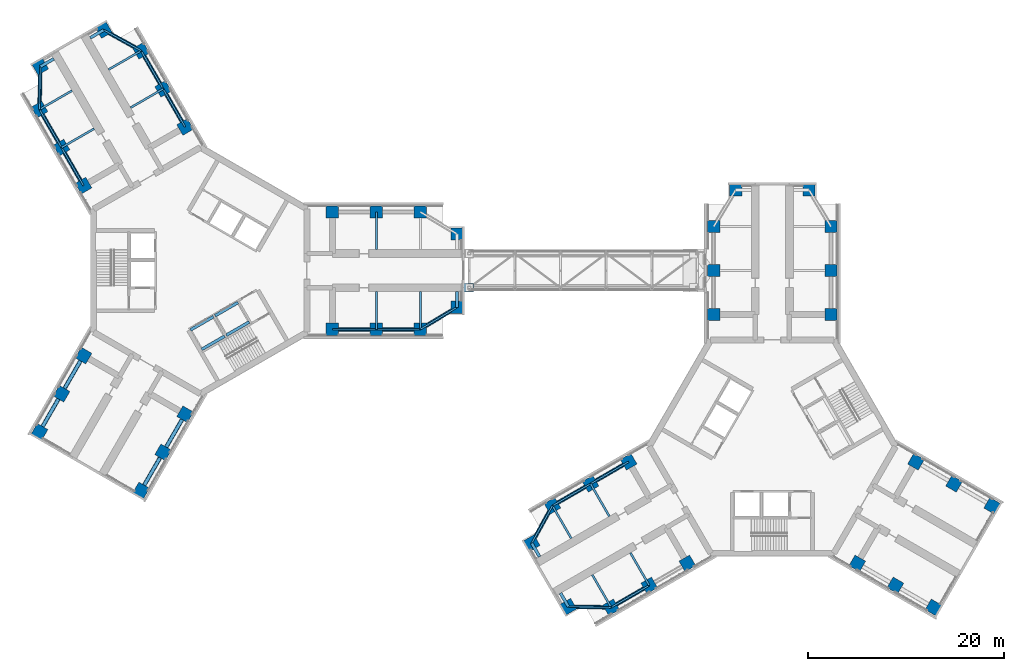
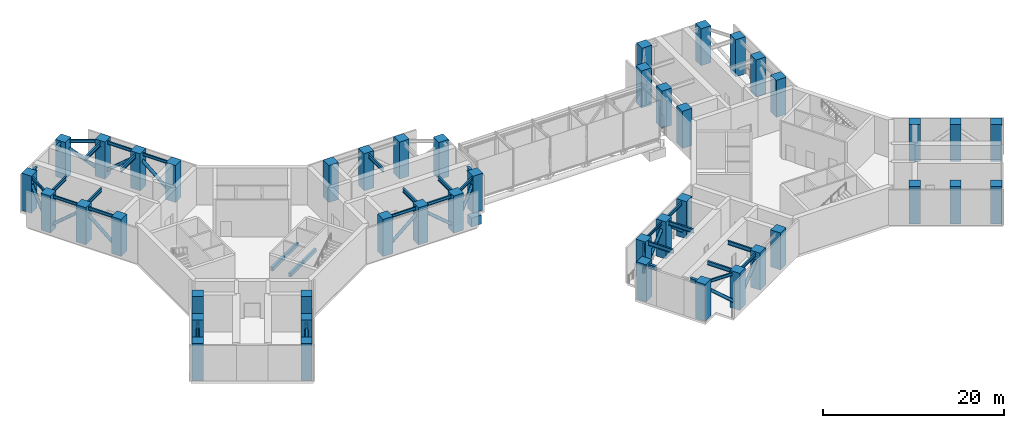
# One storey, part 1 of 15: 44 columns, 35 beams, 18 members.
"""IFC4 building model written with IfcOpenShell, lengths in metres."""

from ifc_helpers import new_model, si_unit, direction, frame, origin, origin_2d, place, context, subcontext, project, spatial, rectangle, hollow_circle, i_section, extrude, material, material_profile, profile_set, type_object, element, save


model = new_model("IFC4")

# Units and contexts
model_context = context("Model", 3, precision=1e-05, world=origin(), true_north=direction((0.0, 1.0)))
body_context = subcontext(model_context, "Body", "Model", "MODEL_VIEW")
ifc_project = project(units=[si_unit("LENGTHUNIT", "METRE"), si_unit("AREAUNIT", "SQUARE_METRE"), si_unit("VOLUMEUNIT", "CUBIC_METRE"), si_unit("PLANEANGLEUNIT", "RADIAN"), si_unit("MASSUNIT", "GRAM", prefix="KILO")], contexts=[model_context])

# Site, building, storey
site_placement = place(None, origin())
site = spatial("IfcSite", under=ifc_project, at=site_placement, CompositionType="ELEMENT")
building_placement = place(site_placement, origin())
building = spatial("IfcBuilding", under=site, at=building_placement, Name="Upepo Twin Towers", CompositionType="ELEMENT")
storey_placement = place(building_placement, frame((0.0, 0.0, 165.5)))
storey = spatial("IfcBuildingStorey", under=building, at=storey_placement, Name="L40", CompositionType="ELEMENT", Elevation=165.5)

# Columns
ifc_material_1 = material(Name="Concrete C60/75", Category="concrete")
ifc_material_profile_1 = material_profile(ifc_material_1, rectangle(XDim=1.25, YDim=1.25, at=origin_2d()), Name="RC 1250x1250")
ifc_profile_set_1 = profile_set([ifc_material_profile_1], Name="Concrete C60/75")
column_type = type_object("IfcColumnType", Name="Tower column RC 1250x1250", PredefinedType="COLUMN", material=ifc_profile_set_1)
for number, where, z_axis, x_axis, name in (
    (1, (13.5, 6.0, 0.0), (0.0, 0.0, 1.0), (1.0, 0.0, 0.0), "T1 column AL135"),
    (2, (13.5, -6.0, 0.0), (0.0, 0.0, 1.0), (1.0, 0.0, 0.0), "T1 column AR135"),
    (3, (18.0, 6.0, 0.0), (0.0, 0.0, 1.0), (1.0, 0.0, 0.0), "T1 column AL180"),
    (4, (18.0, -6.0, 0.0), (0.0, 0.0, 1.0), (1.0, 0.0, 0.0), "T1 column AR180"),
    (5, (22.5, 6.0, 0.0), (0.0, 0.0, 1.0), (1.0, 0.0, 0.0), "T1 column AL225"),
    (6, (22.5, -6.0, 0.0), (0.0, 0.0, 1.0), (1.0, 0.0, 0.0), "T1 column AR225"),
    (7, (26.25, 3.75, 0.0), (0.0, 0.0, 1.0), (1.0, 0.0, 0.0), "T1 column ALN"),
    (8, (26.25, -3.75, 0.0), (0.0, 0.0, 1.0), (1.0, 0.0, 0.0), "T1 column ARN"),
    (9, (-11.946044921875, 8.69140625, 0.0), (0.0, 0.0, 1.0), (0.866025403784, 0.5, 0.0), "T1 column BL135"),
    (10, (-1.553955078125, 14.69140625, 0.0), (0.0, 0.0, 1.0), (0.866025403784, 0.5, 0.0), "T1 column BR135"),
    (11, (-14.196044921875, 12.58837890625, 0.0), (0.0, 0.0, 1.0), (0.866025403784, 0.5, 0.0), "T1 column BL180"),
    (12, (-3.803955078125, 18.58837890625, 0.0), (0.0, 0.0, 1.0), (0.866025403784, 0.5, 0.0), "T1 column BR180"),
    (13, (-16.446044921875, 16.485595703125, 0.0), (0.0, 0.0, 1.0), (0.866025403784, 0.5, 0.0), "T1 column BL225"),
    (14, (-6.053955078125, 22.485595703125, 0.0), (0.0, 0.0, 1.0), (0.866025403784, 0.5, 0.0), "T1 column BR225"),
    (15, (-16.37255859375, 20.858154296875, 0.0), (0.0, 0.0, 1.0), (0.866025403784, 0.5, 0.0), "T1 column BLN"),
    (16, (-9.87744140625, 24.608154296875, 0.0), (0.0, 0.0, 1.0), (0.866025403784, 0.5, 0.0), "T1 column BRN"),
    (17, (-1.553955078125, -14.69140625, 0.0), (0.0, 0.0, 1.0), (0.5, 0.866025403784, 0.0), "T1 column CL135"),
    (18, (-11.946044921875, -8.69140625, 0.0), (0.0, 0.0, 1.0), (0.5, 0.866025403784, 0.0), "T1 column CR135"),
    (19, (-3.803955078125, -18.58837890625, 0.0), (0.0, 0.0, 1.0), (0.5, 0.866025403784, 0.0), "T1 column CL180"),
    (20, (-14.196044921875, -12.58837890625, 0.0), (0.0, 0.0, 1.0), (0.5, 0.866025403784, 0.0), "T1 column CR180"),
    (21, (-6.053955078125, -22.485595703125, 0.0), (0.0, 0.0, 1.0), (0.5, 0.866025403784, 0.0), "T1 column CL225"),
    (22, (-16.446044921875, -16.485595703125, 0.0), (0.0, 0.0, 1.0), (0.5, 0.866025403784, 0.0), "T1 column CR225"),
    (23, (52.5, -4.5, 0.0), (0.0, 0.0, 1.0), (1.0, 0.0, 0.0), "T2 column AL135"),
    (24, (64.5, -4.5, 0.0), (0.0, 0.0, 1.0), (1.0, 0.0, 0.0), "T2 column AR135"),
    (25, (52.5, 0.0, 0.0), (0.0, 0.0, 1.0), (1.0, 0.0, 0.0), "T2 column AL180"),
    (26, (64.5, 0.0, 0.0), (0.0, 0.0, 1.0), (1.0, 0.0, 0.0), "T2 column AR180"),
    (27, (52.5, 4.5, 0.0), (0.0, 0.0, 1.0), (1.0, 0.0, 0.0), "T2 column AL225"),
    (28, (64.5, 4.5, 0.0), (0.0, 0.0, 1.0), (1.0, 0.0, 0.0), "T2 column AR225"),
    (29, (54.75, 8.25, 0.0), (0.0, 0.0, 1.0), (1.0, 0.0, 0.0), "T2 column ALN"),
    (30, (62.25, 8.25, 0.0), (0.0, 0.0, 1.0), (1.0, 0.0, 0.0), "T2 column ARN"),
    (31, (49.80859375, -29.946044921875, 0.0), (0.0, 0.0, 1.0), (0.866025403784, 0.5, 0.0), "T2 column BL135"),
    (32, (43.80859375, -19.553955078125, 0.0), (0.0, 0.0, 1.0), (0.866025403784, 0.5, 0.0), "T2 column BR135"),
    (33, (45.91162109375, -32.196044921875, 0.0), (0.0, 0.0, 1.0), (0.866025403784, 0.5, 0.0), "T2 column BL180"),
    (34, (39.91162109375, -21.803955078125, 0.0), (0.0, 0.0, 1.0), (0.866025403784, 0.5, 0.0), "T2 column BR180"),
    (35, (42.014404296875, -34.446044921875, 0.0), (0.0, 0.0, 1.0), (0.866025403784, 0.5, 0.0), "T2 column BL225"),
    (36, (36.014404296875, -24.053955078125, 0.0), (0.0, 0.0, 1.0), (0.866025403784, 0.5, 0.0), "T2 column BR225"),
    (37, (37.641845703125, -34.37255859375, 0.0), (0.0, 0.0, 1.0), (0.866025403784, 0.5, 0.0), "T2 column BLN"),
    (38, (33.891845703125, -27.87744140625, 0.0), (0.0, 0.0, 1.0), (0.866025403784, 0.5, 0.0), "T2 column BRN"),
    (39, (73.19140625, -19.553955078125, 0.0), (0.0, 0.0, 1.0), (0.5, 0.866025403784, 0.0), "T2 column CL135"),
    (40, (67.19140625, -29.946044921875, 0.0), (0.0, 0.0, 1.0), (0.5, 0.866025403784, 0.0), "T2 column CR135"),
    (41, (77.08837890625, -21.803955078125, 0.0), (0.0, 0.0, 1.0), (0.5, 0.866025403784, 0.0), "T2 column CL180"),
    (42, (71.08837890625, -32.196044921875, 0.0), (0.0, 0.0, 1.0), (0.5, 0.866025403784, 0.0), "T2 column CR180"),
    (43, (80.985595703125, -24.053955078125, 0.0), (0.0, 0.0, 1.0), (0.5, 0.866025403784, 0.0), "T2 column CL225"),
    (44, (74.985595703125, -34.446044921875, 0.0), (0.0, 0.0, 1.0), (0.5, 0.866025403784, 0.0), "T2 column CR225"),
):
    element("IfcColumn", number, at=place(storey_placement, frame(where, z_axis=z_axis, x_axis=x_axis)), inside=storey, type_object=column_type, Name=name, PredefinedType="COLUMN", context=body_context, shape_type="SweptSolid", body=[
        extrude(rectangle(XDim=1.25, YDim=1.25, at=origin_2d()), origin(), (0.0, 0.0, 1.0), 5.0),
    ])

# Beams
ifc_material_2 = material(Name="Steel S355", Category="steel")
ifc_material_profile_2 = material_profile(ifc_material_2, i_section(OverallWidth=0.177978515625, OverallDepth=0.406494140625, WebThickness=0.0078125, FlangeThickness=0.0126953125, FilletRadius=0.01025390625, at=origin_2d()), Name="UB 406x178x60")
ifc_profile_set_2 = profile_set([ifc_material_profile_2], Name="Steel S355")
beam_type_1 = type_object("IfcBeamType", Name="Beam UB 406x178x60", PredefinedType="BEAM", material=ifc_profile_set_2)
for number, where, z_axis, x_axis, name in (
    (45, (13.5, -6.0, 4.5966796875), (1.0, 0.0, 0.0), (0.0, 1.0, 0.0), "T1 edge beam AR 13.5-18.0"),
    (46, (18.0, -6.0, 4.5966796875), (1.0, 0.0, 0.0), (0.0, 1.0, 0.0), "T1 edge beam AR 18.0-22.5"),
):
    element("IfcBeam", number, at=place(storey_placement, frame(where, z_axis=z_axis, x_axis=x_axis)), inside=storey, type_object=beam_type_1, Name=name, PredefinedType="BEAM", context=body_context, shape_type="SweptSolid", body=[
        extrude(i_section(OverallWidth=0.177978515625, OverallDepth=0.406494140625, WebThickness=0.0078125, FlangeThickness=0.0126953125, FilletRadius=0.01025390625, at=origin_2d()), origin(), (0.0, 0.0, 1.0), 4.5),
    ])
beam_1_placement = place(storey_placement, frame((22.5, -6.0, 4.5966796875), z_axis=(0.857492925713, 0.514495755428, 0.0), x_axis=(-0.514495755428, 0.857492925713, 0.0)))
element("IfcBeam", 47, at=beam_1_placement, inside=storey, type_object=beam_type_1, Name="T1 nose edge beam AR", PredefinedType="BEAM", context=body_context, shape_type="SweptSolid", body=[
    extrude(i_section(OverallWidth=0.177978515625, OverallDepth=0.406494140625, WebThickness=0.0078125, FlangeThickness=0.0126953125, FilletRadius=0.01025390625, at=origin_2d()), origin(), (0.0, 0.0, 1.0), 4.373291015625),
])
beam_2_placement = place(storey_placement, frame((-11.946044921875, 8.69140625, 4.5966796875), z_axis=(-0.500013631625, 0.866017533419, 0.0), x_axis=(-0.866017533419, -0.500013631625, 0.0)))
element("IfcBeam", 48, at=beam_2_placement, inside=storey, type_object=beam_type_1, Name="T1 edge beam BL 13.5-18.0", PredefinedType="BEAM", context=body_context, shape_type="SweptSolid", body=[
    extrude(i_section(OverallWidth=0.177978515625, OverallDepth=0.406494140625, WebThickness=0.0078125, FlangeThickness=0.0126953125, FilletRadius=0.01025390625, at=origin_2d()), origin(), (0.0, 0.0, 1.0), 4.499755859375),
])
beam_3_placement = place(storey_placement, frame((-14.196044921875, 12.58837890625, 4.5966796875), z_axis=(-0.499990139034, 0.866031096941, 0.0), x_axis=(-0.866031096941, -0.499990139034, 0.0)))
element("IfcBeam", 49, at=beam_3_placement, inside=storey, type_object=beam_type_1, Name="T1 edge beam BL 18.0-22.5", PredefinedType="BEAM", context=body_context, shape_type="SweptSolid", body=[
    extrude(i_section(OverallWidth=0.177978515625, OverallDepth=0.406494140625, WebThickness=0.0078125, FlangeThickness=0.0126953125, FilletRadius=0.01025390625, at=origin_2d()), origin(), (0.0, 0.0, 1.0), 4.5),
])
beam_4_placement = place(storey_placement, frame((-16.446044921875, 16.485595703125, 4.5966796875), z_axis=(0.016803880528, 0.999858804832, 0.0), x_axis=(-0.999858804832, 0.016803880528, 0.0)))
element("IfcBeam", 50, at=beam_4_placement, inside=storey, type_object=beam_type_1, Name="T1 nose edge beam BL", PredefinedType="BEAM", context=body_context, shape_type="SweptSolid", body=[
    extrude(i_section(OverallWidth=0.177978515625, OverallDepth=0.406494140625, WebThickness=0.0078125, FlangeThickness=0.0126953125, FilletRadius=0.01025390625, at=origin_2d()), origin(), (0.0, 0.0, 1.0), 4.373291015625),
])
beam_5_placement = place(storey_placement, frame((-1.553955078125, 14.69140625, 4.5966796875), z_axis=(-0.500013631625, 0.866017533419, 0.0), x_axis=(-0.866017533419, -0.500013631625, 0.0)))
element("IfcBeam", 51, at=beam_5_placement, inside=storey, type_object=beam_type_1, Name="T1 edge beam BR 13.5-18.0", PredefinedType="BEAM", context=body_context, shape_type="SweptSolid", body=[
    extrude(i_section(OverallWidth=0.177978515625, OverallDepth=0.406494140625, WebThickness=0.0078125, FlangeThickness=0.0126953125, FilletRadius=0.01025390625, at=origin_2d()), origin(), (0.0, 0.0, 1.0), 4.499755859375),
])
beam_6_placement = place(storey_placement, frame((-3.803955078125, 18.58837890625, 4.5966796875), z_axis=(-0.499990139034, 0.866031096941, 0.0), x_axis=(-0.866031096941, -0.499990139034, 0.0)))
element("IfcBeam", 52, at=beam_6_placement, inside=storey, type_object=beam_type_1, Name="T1 edge beam BR 18.0-22.5", PredefinedType="BEAM", context=body_context, shape_type="SweptSolid", body=[
    extrude(i_section(OverallWidth=0.177978515625, OverallDepth=0.406494140625, WebThickness=0.0078125, FlangeThickness=0.0126953125, FilletRadius=0.01025390625, at=origin_2d()), origin(), (0.0, 0.0, 1.0), 4.5),
])
beam_7_placement = place(storey_placement, frame((-6.053955078125, 22.485595703125, 4.5966796875), z_axis=(-0.874312600038, 0.485363242752, 0.0), x_axis=(-0.485363242752, -0.874312600038, 0.0)))
element("IfcBeam", 53, at=beam_7_placement, inside=storey, type_object=beam_type_1, Name="T1 nose edge beam BR", PredefinedType="BEAM", context=body_context, shape_type="SweptSolid", body=[
    extrude(i_section(OverallWidth=0.177978515625, OverallDepth=0.406494140625, WebThickness=0.0078125, FlangeThickness=0.0126953125, FilletRadius=0.01025390625, at=origin_2d()), origin(), (0.0, 0.0, 1.0), 4.373046875),
])
beam_8_placement = place(storey_placement, frame((45.91162109375, -32.196044921875, 4.5966796875), z_axis=(-0.866031096941, -0.499990139034, 0.0), x_axis=(0.499990139034, -0.866031096941, 0.0)))
element("IfcBeam", 54, at=beam_8_placement, inside=storey, type_object=beam_type_1, Name="T2 edge beam BL 18.0-22.5", PredefinedType="BEAM", context=body_context, shape_type="SweptSolid", body=[
    extrude(i_section(OverallWidth=0.177978515625, OverallDepth=0.406494140625, WebThickness=0.0078125, FlangeThickness=0.0126953125, FilletRadius=0.01025390625, at=origin_2d()), origin(), (0.0, 0.0, 1.0), 4.5),
])
beam_9_placement = place(storey_placement, frame((42.014404296875, -34.446044921875, 4.5966796875), z_axis=(-0.999858804832, 0.016803880528, 0.0), x_axis=(-0.016803880528, -0.999858804832, 0.0)))
element("IfcBeam", 55, at=beam_9_placement, inside=storey, type_object=beam_type_1, Name="T2 nose edge beam BL", PredefinedType="BEAM", context=body_context, shape_type="SweptSolid", body=[
    extrude(i_section(OverallWidth=0.177978515625, OverallDepth=0.406494140625, WebThickness=0.0078125, FlangeThickness=0.0126953125, FilletRadius=0.01025390625, at=origin_2d()), origin(), (0.0, 0.0, 1.0), 4.373291015625),
])
beam_10_placement = place(storey_placement, frame((43.80859375, -19.553955078125, 4.5966796875), z_axis=(-0.866017533419, -0.500013631625, 0.0), x_axis=(0.500013631625, -0.866017533419, 0.0)))
element("IfcBeam", 56, at=beam_10_placement, inside=storey, type_object=beam_type_1, Name="T2 edge beam BR 13.5-18.0", PredefinedType="BEAM", context=body_context, shape_type="SweptSolid", body=[
    extrude(i_section(OverallWidth=0.177978515625, OverallDepth=0.406494140625, WebThickness=0.0078125, FlangeThickness=0.0126953125, FilletRadius=0.01025390625, at=origin_2d()), origin(), (0.0, 0.0, 1.0), 4.499755859375),
])
beam_11_placement = place(storey_placement, frame((39.91162109375, -21.803955078125, 4.5966796875), z_axis=(-0.866031096941, -0.499990139034, 0.0), x_axis=(0.499990139034, -0.866031096941, 0.0)))
element("IfcBeam", 57, at=beam_11_placement, inside=storey, type_object=beam_type_1, Name="T2 edge beam BR 18.0-22.5", PredefinedType="BEAM", context=body_context, shape_type="SweptSolid", body=[
    extrude(i_section(OverallWidth=0.177978515625, OverallDepth=0.406494140625, WebThickness=0.0078125, FlangeThickness=0.0126953125, FilletRadius=0.01025390625, at=origin_2d()), origin(), (0.0, 0.0, 1.0), 4.5),
])
beam_12_placement = place(storey_placement, frame((36.014404296875, -24.053955078125, 4.5966796875), z_axis=(-0.485363242752, -0.874312600038, 0.0), x_axis=(0.874312600038, -0.485363242752, 0.0)))
element("IfcBeam", 58, at=beam_12_placement, inside=storey, type_object=beam_type_1, Name="T2 nose edge beam BR", PredefinedType="BEAM", context=body_context, shape_type="SweptSolid", body=[
    extrude(i_section(OverallWidth=0.177978515625, OverallDepth=0.406494140625, WebThickness=0.0078125, FlangeThickness=0.0126953125, FilletRadius=0.01025390625, at=origin_2d()), origin(), (0.0, 0.0, 1.0), 4.373046875),
])
ifc_material_3 = material(Name="Steel S355", Category="steel")
ifc_material_profile_3 = material_profile(ifc_material_3, i_section(OverallWidth=0.209228515625, OverallDepth=0.533203125, WebThickness=0.010009765625, FlangeThickness=0.015625, FilletRadius=0.0126953125, at=origin_2d()), Name="UB 533x210x92")
ifc_profile_set_3 = profile_set([ifc_material_profile_3], Name="Steel S355")
beam_type_2 = type_object("IfcBeamType", Name="Beam UB 533x210x92", PredefinedType="BEAM", material=ifc_profile_set_3)
for number, where, z_axis, x_axis, name in (
    (59, (18.0, 6.0, 4.533447265625), (0.0, -1.0, 0.0), (1.0, 0.0, 0.0), "T1 girder AL at 18.0"),
    (60, (18.0, -6.0, 4.533447265625), (0.0, 1.0, 0.0), (-1.0, 0.0, 0.0), "T1 girder AR at 18.0"),
    (61, (22.5, -6.0, 4.533447265625), (0.0, 1.0, 0.0), (-1.0, 0.0, 0.0), "T1 girder AR at 22.5"),
):
    element("IfcBeam", number, at=place(storey_placement, frame(where, z_axis=z_axis, x_axis=x_axis)), inside=storey, type_object=beam_type_2, Name=name, PredefinedType="BEAM", context=body_context, shape_type="SweptSolid", body=[
        extrude(i_section(OverallWidth=0.209228515625, OverallDepth=0.533203125, WebThickness=0.010009765625, FlangeThickness=0.015625, FilletRadius=0.0126953125, at=origin_2d()), origin(), (0.0, 0.0, 1.0), 3.85009765625),
    ])
for number, where, z_axis, x_axis, name in (
    (62, (-14.196044921875, 12.58837890625, 4.533447265625), (0.866006051527, 0.500033517596, 0.0), (-0.500033517596, 0.866006051527, 0.0), "T1 girder BL at 18.0"),
    (63, (-16.446044921875, 16.485595703125, 4.533447265625), (0.866006051527, 0.500033517596, 0.0), (-0.500033517596, 0.866006051527, 0.0), "T1 girder BL at 22.5"),
):
    element("IfcBeam", number, at=place(storey_placement, frame(where, z_axis=z_axis, x_axis=x_axis)), inside=storey, type_object=beam_type_2, Name=name, PredefinedType="BEAM", context=body_context, shape_type="SweptSolid", body=[
        extrude(i_section(OverallWidth=0.209228515625, OverallDepth=0.533203125, WebThickness=0.010009765625, FlangeThickness=0.015625, FilletRadius=0.0126953125, at=origin_2d()), origin(), (0.0, 0.0, 1.0), 3.849853515625),
    ])
beam_13_placement = place(storey_placement, frame((-3.803955078125, 18.58837890625, 4.533447265625), z_axis=(-0.866033512162, -0.499985955615, 0.0), x_axis=(0.499985955615, -0.866033512162, 0.0)))
element("IfcBeam", 64, at=beam_13_placement, inside=storey, type_object=beam_type_2, Name="T1 girder BR at 18.0", PredefinedType="BEAM", context=body_context, shape_type="SweptSolid", body=[
    extrude(i_section(OverallWidth=0.209228515625, OverallDepth=0.533203125, WebThickness=0.010009765625, FlangeThickness=0.015625, FilletRadius=0.0126953125, at=origin_2d()), origin(), (0.0, 0.0, 1.0), 3.849609375),
])
for number, where, z_axis, x_axis, name in (
    (65, (-6.053955078125, 22.485595703125, 4.533447265625), (-0.866006051527, -0.500033517596, 0.0), (0.500033517596, -0.866006051527, 0.0), "T1 girder BR at 22.5"),
    (66, (45.91162109375, -32.196044921875, 4.533447265625), (-0.500033517596, 0.866006051527, 0.0), (-0.866006051527, -0.500033517596, 0.0), "T2 girder BL at 18.0"),
    (67, (42.014404296875, -34.446044921875, 4.533447265625), (-0.500033517596, 0.866006051527, 0.0), (-0.866006051527, -0.500033517596, 0.0), "T2 girder BL at 22.5"),
):
    element("IfcBeam", number, at=place(storey_placement, frame(where, z_axis=z_axis, x_axis=x_axis)), inside=storey, type_object=beam_type_2, Name=name, PredefinedType="BEAM", context=body_context, shape_type="SweptSolid", body=[
        extrude(i_section(OverallWidth=0.209228515625, OverallDepth=0.533203125, WebThickness=0.010009765625, FlangeThickness=0.015625, FilletRadius=0.0126953125, at=origin_2d()), origin(), (0.0, 0.0, 1.0), 3.849853515625),
    ])
beam_14_placement = place(storey_placement, frame((39.91162109375, -21.803955078125, 4.533447265625), z_axis=(0.499985955615, -0.866033512162, 0.0), x_axis=(0.866033512162, 0.499985955615, 0.0)))
element("IfcBeam", 68, at=beam_14_placement, inside=storey, type_object=beam_type_2, Name="T2 girder BR at 18.0", PredefinedType="BEAM", context=body_context, shape_type="SweptSolid", body=[
    extrude(i_section(OverallWidth=0.209228515625, OverallDepth=0.533203125, WebThickness=0.010009765625, FlangeThickness=0.015625, FilletRadius=0.0126953125, at=origin_2d()), origin(), (0.0, 0.0, 1.0), 3.849609375),
])
beam_15_placement = place(storey_placement, frame((36.014404296875, -24.053955078125, 4.533447265625), z_axis=(0.500033517596, -0.866006051527, 0.0), x_axis=(0.866006051527, 0.500033517596, 0.0)))
element("IfcBeam", 69, at=beam_15_placement, inside=storey, type_object=beam_type_2, Name="T2 girder BR at 22.5", PredefinedType="BEAM", context=body_context, shape_type="SweptSolid", body=[
    extrude(i_section(OverallWidth=0.209228515625, OverallDepth=0.533203125, WebThickness=0.010009765625, FlangeThickness=0.015625, FilletRadius=0.0126953125, at=origin_2d()), origin(), (0.0, 0.0, 1.0), 3.849853515625),
])
ifc_material_4 = material(Name="Steel S355", Category="steel")
ifc_material_profile_4 = material_profile(ifc_material_4, i_section(OverallWidth=0.31201171875, OverallDepth=0.54345703125, WebThickness=0.0126953125, FlangeThickness=0.020263671875, FilletRadius=0.0126953125, at=origin_2d()), Name="UB 533x312x150")
ifc_profile_set_4 = profile_set([ifc_material_profile_4], Name="Steel S355")
beam_type_3 = type_object("IfcBeamType", Name="Beam UB 533x312x150", PredefinedType="BEAM", material=ifc_profile_set_4)
beam_16_placement = place(storey_placement, frame((26.25, -3.75, 4.5283203125), z_axis=(0.0, 1.0, 0.0), x_axis=(-1.0, 0.0, 0.0)))
element("IfcBeam", 70, at=beam_16_placement, inside=storey, type_object=beam_type_3, Name="T1 nose beam AR", PredefinedType="BEAM", context=body_context, shape_type="SweptSolid", body=[
    extrude(i_section(OverallWidth=0.31201171875, OverallDepth=0.54345703125, WebThickness=0.0126953125, FlangeThickness=0.020263671875, FilletRadius=0.0126953125, at=origin_2d()), origin(), (0.0, 0.0, 1.0), 1.60009765625),
])
for number, where, z_axis, x_axis, name in (
    (71, (-16.37255859375, 20.858154296875, 4.5283203125), (0.865989903783, 0.500061482766, 0.0), (-0.500061482766, 0.865989903783, 0.0), "T1 nose beam BL"),
    (72, (-9.87744140625, 24.608154296875, 4.5283203125), (-0.865989903783, -0.500061482766, 0.0), (0.500061482766, -0.865989903783, 0.0), "T1 nose beam BR"),
    (73, (37.641845703125, -34.37255859375, 4.5283203125), (-0.500061482766, 0.865989903783, 0.0), (-0.865989903783, -0.500061482766, 0.0), "T2 nose beam BL"),
    (74, (33.891845703125, -27.87744140625, 4.5283203125), (0.500061482766, -0.865989903783, 0.0), (0.865989903783, 0.500061482766, 0.0), "T2 nose beam BR"),
):
    element("IfcBeam", number, at=place(storey_placement, frame(where, z_axis=z_axis, x_axis=x_axis)), inside=storey, type_object=beam_type_3, Name=name, PredefinedType="BEAM", context=body_context, shape_type="SweptSolid", body=[
        extrude(i_section(OverallWidth=0.31201171875, OverallDepth=0.54345703125, WebThickness=0.0126953125, FlangeThickness=0.020263671875, FilletRadius=0.0126953125, at=origin_2d()), origin(), (0.0, 0.0, 1.0), 1.599853515625),
    ])

# Members
ifc_material_5 = material(Name="Steel S355", Category="steel")
ifc_material_profile_5 = material_profile(ifc_material_5, hollow_circle(Radius=0.203125, WallThickness=0.02001953125, at=origin_2d()), Name="CHS 406.4x20.0")
ifc_profile_set_5 = profile_set([ifc_material_profile_5], Name="Steel S355")
member_type = type_object("IfcMemberType", Name="Belt truss diagonal CHS 406.4x20.0", PredefinedType="BRACE", material=ifc_profile_set_5)
for number, where, z_axis, x_axis, name in (
    (75, (13.5, -6.0, 0.39990234375), (0.764025829276, 0.0, 0.645185657155), (0.0, 1.0, 0.0), "T1 belt truss diagonal AR1"),
    (76, (22.5, -6.0, 0.39990234375), (-0.764025829276, 0.0, 0.645185657155), (0.0, -1.0, 0.0), "T1 belt truss diagonal AR2"),
):
    element("IfcMember", number, at=place(storey_placement, frame(where, z_axis=z_axis, x_axis=x_axis)), inside=storey, type_object=member_type, Name=name, PredefinedType="BRACE", context=body_context, shape_type="SweptSolid", body=[
        extrude(hollow_circle(Radius=0.203125, WallThickness=0.02001953125, at=origin_2d()), origin(), (0.0, 0.0, 1.0), 5.889892578125),
    ])
member_1_placement = place(storey_placement, frame((22.5, -6.0, 0.39990234375), z_axis=(0.647270093312, 0.388362055987, 0.655908789218), x_axis=(-0.514495755428, 0.857492925713, 0.0)))
element("IfcMember", 77, at=member_1_placement, inside=storey, type_object=member_type, Name="T1 belt truss nose diagonal AR", PredefinedType="BRACE", context=body_context, shape_type="SweptSolid", body=[
    extrude(hollow_circle(Radius=0.203125, WallThickness=0.02001953125, at=origin_2d()), origin(), (0.0, 0.0, 1.0), 5.79345703125),
])
member_2_placement = place(storey_placement, frame((-11.946044921875, 8.69140625, 0.39990234375), z_axis=(-0.382018994089, 0.66165225517, 0.645195924804), x_axis=(-0.866017533419, -0.500013631625, 0.0)))
element("IfcMember", 78, at=member_2_placement, inside=storey, type_object=member_type, Name="T1 belt truss diagonal BL1", PredefinedType="BRACE", context=body_context, shape_type="SweptSolid", body=[
    extrude(hollow_circle(Radius=0.203125, WallThickness=0.02001953125, at=origin_2d()), origin(), (0.0, 0.0, 1.0), 5.8896484375),
])
member_3_placement = place(storey_placement, frame((-16.446044921875, 16.485595703125, 0.39990234375), z_axis=(0.382008516702, -0.66167555904, 0.645178229434), x_axis=(0.866031096941, 0.499990139034, 0.0)))
element("IfcMember", 79, at=member_3_placement, inside=storey, type_object=member_type, Name="T1 belt truss diagonal BL2", PredefinedType="BRACE", context=body_context, shape_type="SweptSolid", body=[
    extrude(hollow_circle(Radius=0.203125, WallThickness=0.02001953125, at=origin_2d()), origin(), (0.0, 0.0, 1.0), 5.889892578125),
])
member_4_placement = place(storey_placement, frame((-16.446044921875, 16.485595703125, 0.39990234375), z_axis=(0.012684196551, 0.754730764906, 0.655912024331), x_axis=(-0.999858804832, 0.016803880528, 0.0)))
element("IfcMember", 80, at=member_4_placement, inside=storey, type_object=member_type, Name="T1 belt truss nose diagonal BL", PredefinedType="BRACE", context=body_context, shape_type="SweptSolid", body=[
    extrude(hollow_circle(Radius=0.203125, WallThickness=0.02001953125, at=origin_2d()), origin(), (0.0, 0.0, 1.0), 5.79345703125),
])
member_5_placement = place(storey_placement, frame((-1.553955078125, 14.69140625, 0.39990234375), z_axis=(-0.382018994089, 0.66165225517, 0.645195924804), x_axis=(-0.866017533419, -0.500013631625, 0.0)))
element("IfcMember", 81, at=member_5_placement, inside=storey, type_object=member_type, Name="T1 belt truss diagonal BR1", PredefinedType="BRACE", context=body_context, shape_type="SweptSolid", body=[
    extrude(hollow_circle(Radius=0.203125, WallThickness=0.02001953125, at=origin_2d()), origin(), (0.0, 0.0, 1.0), 5.8896484375),
])
member_6_placement = place(storey_placement, frame((-6.053955078125, 22.485595703125, 0.39990234375), z_axis=(0.382008516702, -0.66167555904, 0.645178229434), x_axis=(0.866031096941, 0.499990139034, 0.0)))
element("IfcMember", 82, at=member_6_placement, inside=storey, type_object=member_type, Name="T1 belt truss diagonal BR2", PredefinedType="BRACE", context=body_context, shape_type="SweptSolid", body=[
    extrude(hollow_circle(Radius=0.203125, WallThickness=0.02001953125, at=origin_2d()), origin(), (0.0, 0.0, 1.0), 5.889892578125),
])
member_7_placement = place(storey_placement, frame((-6.053955078125, 22.485595703125, 0.39990234375), z_axis=(-0.659961082626, 0.366368792053, 0.65591560252), x_axis=(-0.485363242752, -0.874312600038, 0.0)))
element("IfcMember", 83, at=member_7_placement, inside=storey, type_object=member_type, Name="T1 belt truss nose diagonal BR", PredefinedType="BRACE", context=body_context, shape_type="SweptSolid", body=[
    extrude(hollow_circle(Radius=0.203125, WallThickness=0.02001953125, at=origin_2d()), origin(), (0.0, 0.0, 1.0), 5.79345703125),
])
member_8_placement = place(storey_placement, frame((-1.553955078125, -14.69140625, 0.39990234375), z_axis=(-0.382018994089, -0.66165225517, 0.645195924804), x_axis=(0.866017533419, -0.500013631625, 0.0)))
element("IfcMember", 84, at=member_8_placement, inside=storey, type_object=member_type, Name="T1 belt truss diagonal CL1", PredefinedType="BRACE", context=body_context, shape_type="SweptSolid", body=[
    extrude(hollow_circle(Radius=0.203125, WallThickness=0.02001953125, at=origin_2d()), origin(), (0.0, 0.0, 1.0), 5.8896484375),
])
member_9_placement = place(storey_placement, frame((-6.053955078125, -22.485595703125, 0.39990234375), z_axis=(0.382008516702, 0.66167555904, 0.645178229434), x_axis=(-0.866031096941, 0.499990139034, 0.0)))
element("IfcMember", 85, at=member_9_placement, inside=storey, type_object=member_type, Name="T1 belt truss diagonal CL2", PredefinedType="BRACE", context=body_context, shape_type="SweptSolid", body=[
    extrude(hollow_circle(Radius=0.203125, WallThickness=0.02001953125, at=origin_2d()), origin(), (0.0, 0.0, 1.0), 5.889892578125),
])
member_10_placement = place(storey_placement, frame((-11.946044921875, -8.69140625, 0.39990234375), z_axis=(-0.382018994089, -0.66165225517, 0.645195924804), x_axis=(0.866017533419, -0.500013631625, 0.0)))
element("IfcMember", 86, at=member_10_placement, inside=storey, type_object=member_type, Name="T1 belt truss diagonal CR1", PredefinedType="BRACE", context=body_context, shape_type="SweptSolid", body=[
    extrude(hollow_circle(Radius=0.203125, WallThickness=0.02001953125, at=origin_2d()), origin(), (0.0, 0.0, 1.0), 5.8896484375),
])
for number, where, z_axis, x_axis, name in (
    (87, (-16.446044921875, -16.485595703125, 0.39990234375), (0.382008516702, 0.66167555904, 0.645178229434), (-0.866031096941, 0.499990139034, 0.0), "T1 belt truss diagonal CR2"),
    (88, (42.014404296875, -34.446044921875, 0.39990234375), (0.66167555904, 0.382008516702, 0.645178229434), (-0.499990139034, 0.866031096941, 0.0), "T2 belt truss diagonal BL2"),
):
    element("IfcMember", number, at=place(storey_placement, frame(where, z_axis=z_axis, x_axis=x_axis)), inside=storey, type_object=member_type, Name=name, PredefinedType="BRACE", context=body_context, shape_type="SweptSolid", body=[
        extrude(hollow_circle(Radius=0.203125, WallThickness=0.02001953125, at=origin_2d()), origin(), (0.0, 0.0, 1.0), 5.889892578125),
    ])
member_11_placement = place(storey_placement, frame((42.014404296875, -34.446044921875, 0.39990234375), z_axis=(-0.754730764906, 0.012684196551, 0.655912024331), x_axis=(-0.016803880528, -0.999858804832, 0.0)))
element("IfcMember", 89, at=member_11_placement, inside=storey, type_object=member_type, Name="T2 belt truss nose diagonal BL", PredefinedType="BRACE", context=body_context, shape_type="SweptSolid", body=[
    extrude(hollow_circle(Radius=0.203125, WallThickness=0.02001953125, at=origin_2d()), origin(), (0.0, 0.0, 1.0), 5.79345703125),
])
member_12_placement = place(storey_placement, frame((43.80859375, -19.553955078125, 0.39990234375), z_axis=(-0.66165225517, -0.382018994089, 0.645195924804), x_axis=(0.500013631625, -0.866017533419, 0.0)))
element("IfcMember", 90, at=member_12_placement, inside=storey, type_object=member_type, Name="T2 belt truss diagonal BR1", PredefinedType="BRACE", context=body_context, shape_type="SweptSolid", body=[
    extrude(hollow_circle(Radius=0.203125, WallThickness=0.02001953125, at=origin_2d()), origin(), (0.0, 0.0, 1.0), 5.8896484375),
])
member_13_placement = place(storey_placement, frame((36.014404296875, -24.053955078125, 0.39990234375), z_axis=(0.66167555904, 0.382008516702, 0.645178229434), x_axis=(-0.499990139034, 0.866031096941, 0.0)))
element("IfcMember", 91, at=member_13_placement, inside=storey, type_object=member_type, Name="T2 belt truss diagonal BR2", PredefinedType="BRACE", context=body_context, shape_type="SweptSolid", body=[
    extrude(hollow_circle(Radius=0.203125, WallThickness=0.02001953125, at=origin_2d()), origin(), (0.0, 0.0, 1.0), 5.889892578125),
])
member_14_placement = place(storey_placement, frame((36.014404296875, -24.053955078125, 0.39990234375), z_axis=(-0.366368792053, -0.659961082626, 0.65591560252), x_axis=(0.874312600038, -0.485363242752, 0.0)))
element("IfcMember", 92, at=member_14_placement, inside=storey, type_object=member_type, Name="T2 belt truss nose diagonal BR", PredefinedType="BRACE", context=body_context, shape_type="SweptSolid", body=[
    extrude(hollow_circle(Radius=0.203125, WallThickness=0.02001953125, at=origin_2d()), origin(), (0.0, 0.0, 1.0), 5.79345703125),
])

# Beams
ifc_material_6 = material(Name="Concrete C60/75", Category="concrete")
ifc_material_profile_6 = material_profile(ifc_material_6, rectangle(XDim=0.89990234375, YDim=1.199951171875, at=origin_2d()), Name="RC 900x1200")
ifc_profile_set_6 = profile_set([ifc_material_profile_6], Name="Concrete C60/75")
beam_type_4 = type_object("IfcBeamType", Name="Bridge bearing beam RC 900x1200", PredefinedType="BEAM", material=ifc_profile_set_6)
beam_17_placement = place(storey_placement, frame((26.699951171875, -1.75, -2.944091796875), z_axis=(1.0, 0.0, 0.0), x_axis=(0.0, 1.0, 0.0)))
element("IfcBeam", 93, at=beam_17_placement, inside=storey, type_object=beam_type_4, Name="BR2 bearing corbel at T1 S", PredefinedType="BEAM", context=body_context, shape_type="SweptSolid", body=[
    extrude(rectangle(XDim=0.89990234375, YDim=1.199951171875, at=origin_2d()), origin(), (0.0, 0.0, 1.0), 1.25),
])
ifc_material_7 = material(Name="Concrete C40/50", Category="concrete")
ifc_material_profile_7 = material_profile(ifc_material_7, rectangle(XDim=0.300048828125, YDim=0.5, at=origin_2d()), Name="RC 300x500")
ifc_profile_set_7 = profile_set([ifc_material_profile_7], Name="Concrete C40/50")
beam_type_5 = type_object("IfcBeamType", Name="Lift pit beam RC 300x500", PredefinedType="BEAM", material=ifc_profile_set_7)
for number, where, z_axis, x_axis, name in (
    (94, (-1.00244140625, -6.063720703125, 2.85009765625), (0.86599734893, 0.500048589285, 0.0), (-0.500048589285, 0.86599734893, 0.0), "T1 lift UL1 pit beam 1"),
    (95, (0.1474609375, -8.055419921875, 2.85009765625), (0.866059108428, 0.4999416173, 0.0), (-0.4999416173, 0.866059108428, 0.0), "T1 lift UL1 pit beam 2"),
):
    element("IfcBeam", number, at=place(storey_placement, frame(where, z_axis=z_axis, x_axis=x_axis)), inside=storey, type_object=beam_type_5, Name=name, PredefinedType="BEAM", context=body_context, shape_type="SweptSolid", body=[
        extrude(rectangle(XDim=0.300048828125, YDim=0.5, at=origin_2d()), origin(), (0.0, 0.0, 1.0), 2.699951171875),
    ])
beam_18_placement = place(storey_placement, frame((1.509033203125, -4.613525390625, 2.85009765625), z_axis=(0.866036505625, 0.499980770555, 0.0), x_axis=(-0.499980770555, 0.866036505625, 0.0)))
element("IfcBeam", 96, at=beam_18_placement, inside=storey, type_object=beam_type_5, Name="T1 lift UL2 pit beam 1", PredefinedType="BEAM", context=body_context, shape_type="SweptSolid", body=[
    extrude(rectangle(XDim=0.300048828125, YDim=0.5, at=origin_2d()), origin(), (0.0, 0.0, 1.0), 2.69970703125),
])
beam_19_placement = place(storey_placement, frame((2.658935546875, -6.60546875, 2.85009765625), z_axis=(0.866019956843, 0.50000943426, 0.0), x_axis=(-0.50000943426, 0.866019956843, 0.0)))
element("IfcBeam", 97, at=beam_19_placement, inside=storey, type_object=beam_type_5, Name="T1 lift UL2 pit beam 2", PredefinedType="BEAM", context=body_context, shape_type="SweptSolid", body=[
    extrude(rectangle(XDim=0.300048828125, YDim=0.5, at=origin_2d()), origin(), (0.0, 0.0, 1.0), 2.7001953125),
])

save(model, "model.ifc")
